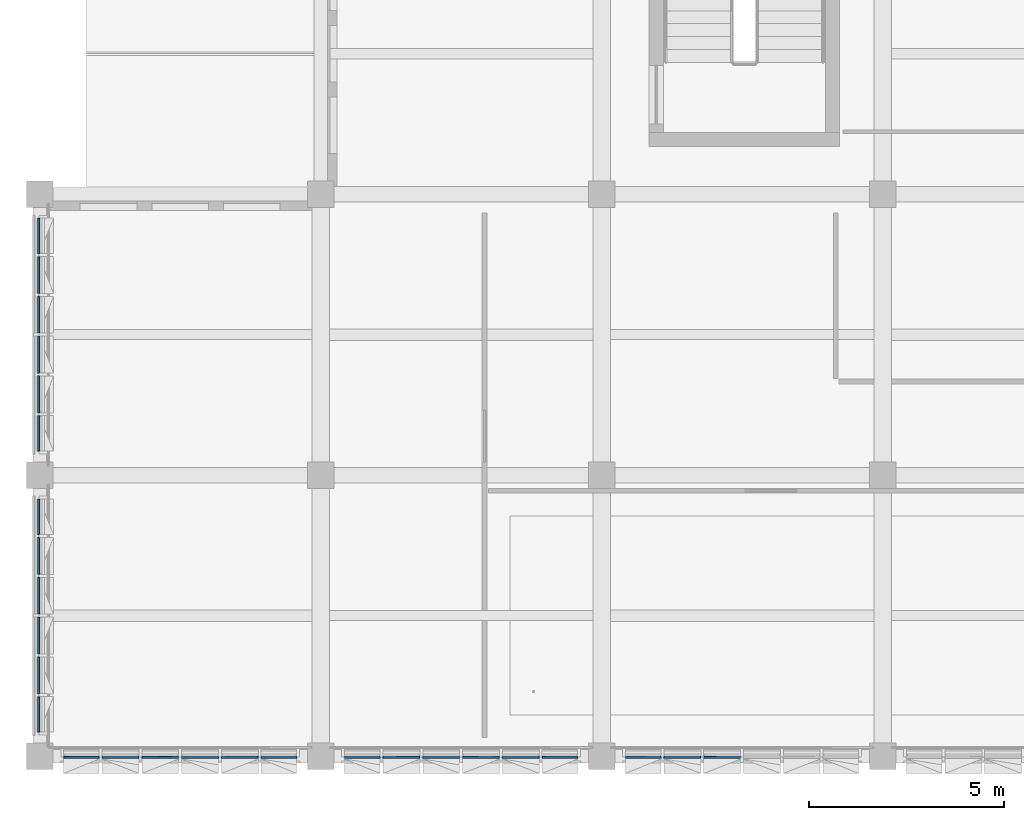
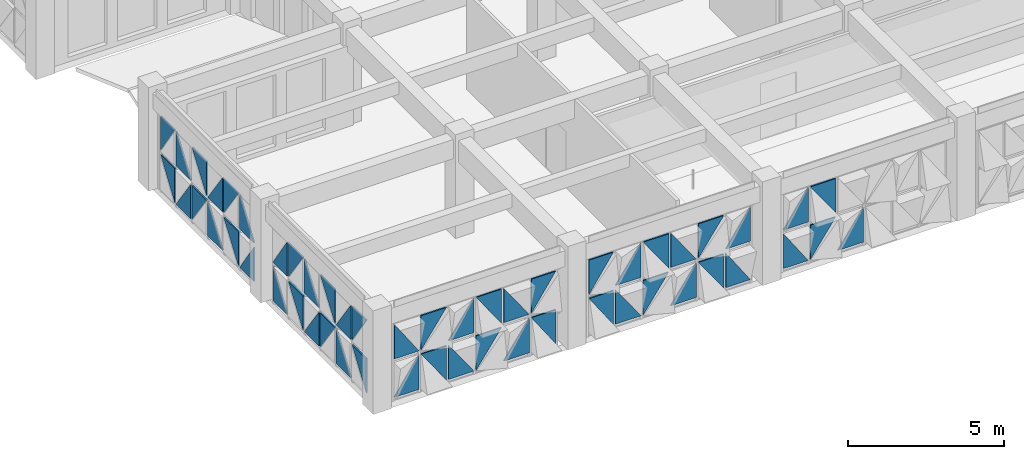
# One storey, part 28 of 88: 53 plates, 5 elements without a shape of their own.
"""IFC4 building model written with IfcOpenShell, lengths in metres."""

from ifc_helpers import new_model, si_unit, direction, frame, origin, place, context, subcontext, project, spatial, polyline, outline, extrude, material, layer, layer_set, type_object, element, aggregate, save


model = new_model("IFC4")

# Units and contexts
model_context = context("Model", 3, precision=1e-05, world=origin(), true_north=direction((0.0, 1.0)))
body_context = subcontext(model_context, "Body", "Model", "MODEL_VIEW")
ifc_project = project(units=[si_unit("LENGTHUNIT", "METRE"), si_unit("AREAUNIT", "SQUARE_METRE"), si_unit("VOLUMEUNIT", "CUBIC_METRE"), si_unit("PLANEANGLEUNIT", "RADIAN"), si_unit("MASSUNIT", "GRAM", prefix="KILO")], contexts=[model_context])

# Site, building, storey
site_placement = place(None, origin())
site = spatial("IfcSite", under=ifc_project, at=site_placement, CompositionType="ELEMENT")
building_placement = place(site_placement, origin())
building = spatial("IfcBuilding", under=site, at=building_placement, Name="Alvorim Cloister Faculty of Sciences", CompositionType="ELEMENT")
storey_placement = place(building_placement, frame((0.0, 0.0, 4.5)))
storey = spatial("IfcBuildingStorey", under=building, at=storey_placement, Name="L01", CompositionType="ELEMENT", Elevation=4.5)

# Curtain wall, plates
ifc_material_1 = material(Name="Aluminium and Low-E Glass Curtain Wall", Category="aluminium")
curtain_wall_type = type_object("IfcCurtainWallType", Name="CW-TRI-6120x3170", PredefinedType="USERDEFINED", material=ifc_material_1)
curtain_wall_1_placement = place(storey_placement, origin())
curtain_wall_1 = element("IfcCurtainWall", 1, at=curtain_wall_1_placement, inside=storey, type_object=curtain_wall_type, Name="L01 Diagonal Cassette Curtain Wall CW-0046", ObjectType="UNITISED CURTAIN WALL", PredefinedType="USERDEFINED")
ifc_material_2 = material(Name="Double Low-E Laminated Glass", Category="glass")
ifc_layer = layer(ifc_material_2, 0.0400390625)
ifc_layer_set = layer_set([ifc_layer], Name="Double Low-E Laminated Glass")
plate_type = type_object("IfcPlateType", Name="PN-GLZ-40", PredefinedType="CURTAIN_PANEL", material=ifc_layer_set)
plate_1_placement = place(storey_placement, frame((15.014892578125, -0.02490234375, 0.159912109375), z_axis=(0.0, 0.0, 1.0), x_axis=(1.0, 0.0, 0.0)))
plate_1 = element("IfcPlate", 2, at=plate_1_placement, type_object=plate_type, Name="Diagonal Glazed Triangle TRI-BL", PredefinedType="CURTAIN_PANEL", context=body_context, shape_type="SweptSolid", body=[
    extrude(outline(polyline([(0.0, 0.0), (0.905517578125, 0.0), (0.0, 1.343017578125), (0.0, 0.0)])), frame((0.0, 0.02490234375, 0.0), z_axis=(0.0, -1.0, 0.0), x_axis=(1.0, 0.0, 0.0)), (0.0, 0.0, 1.0), 0.050048828125),
])
plate_2_placement = place(storey_placement, frame((15.014892578125, -0.02490234375, 1.6650390625), z_axis=(0.0, 0.0, 1.0), x_axis=(1.0, 0.0, 0.0)))
plate_2 = element("IfcPlate", 3, at=plate_2_placement, type_object=plate_type, Name="Diagonal Glazed Triangle TRI-BR", PredefinedType="CURTAIN_PANEL", context=body_context, shape_type="SweptSolid", body=[
    extrude(outline(polyline([(0.001953125, 0.0), (0.907470703125, 0.0), (0.907470703125, 1.343017578125), (0.001953125, 0.0)])), frame((0.0, 0.02490234375, 0.0), z_axis=(0.0, -1.0, 0.0), x_axis=(1.0, 0.0, 0.0)), (0.0, 0.0, 1.0), 0.050048828125),
])
plate_3_placement = place(storey_placement, frame((15.99755859375, -0.02490234375, 0.159912109375), z_axis=(0.0, 0.0, 1.0), x_axis=(1.0, 0.0, 0.0)))
plate_3 = element("IfcPlate", 4, at=plate_3_placement, type_object=plate_type, Name="Diagonal Glazed Triangle TRI-TL", PredefinedType="CURTAIN_PANEL", context=body_context, shape_type="SweptSolid", body=[
    extrude(outline(polyline([(0.943115234375, 1.344970703125), (0.0, 1.344970703125), (0.0, 0.001953125), (0.943115234375, 1.344970703125)])), frame((0.0, 0.02490234375, 0.0), z_axis=(0.0, -1.0, 0.0), x_axis=(1.0, 0.0, 0.0)), (0.0, 0.0, 1.0), 0.050048828125),
])
plate_4_placement = place(storey_placement, frame((15.99755859375, -0.02490234375, 1.6650390625), z_axis=(0.0, 0.0, 1.0), x_axis=(1.0, 0.0, 0.0)))
plate_4 = element("IfcPlate", 5, at=plate_4_placement, type_object=plate_type, Name="Diagonal Glazed Triangle TRI-TR", PredefinedType="CURTAIN_PANEL", context=body_context, shape_type="SweptSolid", body=[
    extrude(outline(polyline([(0.945068359375, 0.001953125), (0.945068359375, 1.344970703125), (0.001953125, 1.344970703125), (0.945068359375, 0.001953125)])), frame((0.0, 0.02490234375, 0.0), z_axis=(0.0, -1.0, 0.0), x_axis=(1.0, 0.0, 0.0)), (0.0, 0.0, 1.0), 0.050048828125),
])
plate_5_placement = place(storey_placement, frame((17.017578125, -0.02490234375, 0.159912109375), z_axis=(0.0, 0.0, 1.0), x_axis=(1.0, 0.0, 0.0)))
plate_5 = element("IfcPlate", 6, at=plate_5_placement, type_object=plate_type, Name="Diagonal Glazed Triangle TRI-BR", PredefinedType="CURTAIN_PANEL", context=body_context, shape_type="SweptSolid", body=[
    extrude(outline(polyline([(0.001953125, 0.0), (0.945068359375, 0.0), (0.945068359375, 1.343017578125), (0.001953125, 0.0)])), frame((0.0, 0.02490234375, 0.0), z_axis=(0.0, -1.0, 0.0), x_axis=(1.0, 0.0, 0.0)), (0.0, 0.0, 1.0), 0.050048828125),
])
aggregate(curtain_wall_1, [plate_1, plate_2, plate_3, plate_4, plate_5])

curtain_wall_2_placement = place(storey_placement, origin())
curtain_wall_2 = element("IfcCurtainWall", 7, at=curtain_wall_2_placement, inside=storey, type_object=curtain_wall_type, Name="L01 Diagonal Cassette Curtain Wall CW-0047", ObjectType="UNITISED CURTAIN WALL", PredefinedType="USERDEFINED")
plate_6_placement = place(storey_placement, frame((7.81494140625, -0.02490234375, 0.159912109375), z_axis=(0.0, 0.0, 1.0), x_axis=(1.0, 0.0, 0.0)))
plate_6 = element("IfcPlate", 8, at=plate_6_placement, type_object=plate_type, Name="Diagonal Glazed Triangle TRI-TR", PredefinedType="CURTAIN_PANEL", context=body_context, shape_type="SweptSolid", body=[
    extrude(outline(polyline([(0.907470703125, 0.001953125), (0.907470703125, 1.344970703125), (0.001953125, 1.344970703125), (0.907470703125, 0.001953125)])), frame((0.0, 0.02490234375, 0.0), z_axis=(0.0, -1.0, 0.0), x_axis=(1.0, 0.0, 0.0)), (0.0, 0.0, 1.0), 0.050048828125),
])
plate_7_placement = place(storey_placement, frame((7.81494140625, -0.02490234375, 1.6650390625), z_axis=(0.0, 0.0, 1.0), x_axis=(1.0, 0.0, 0.0)))
plate_7 = element("IfcPlate", 9, at=plate_7_placement, type_object=plate_type, Name="Diagonal Glazed Triangle TRI-TL", PredefinedType="CURTAIN_PANEL", context=body_context, shape_type="SweptSolid", body=[
    extrude(outline(polyline([(0.905517578125, 1.344970703125), (0.0, 1.344970703125), (0.0, 0.001953125), (0.905517578125, 1.344970703125)])), frame((0.0, 0.02490234375, 0.0), z_axis=(0.0, -1.0, 0.0), x_axis=(1.0, 0.0, 0.0)), (0.0, 0.0, 1.0), 0.050048828125),
])
plate_8_placement = place(storey_placement, frame((8.797607421875, -0.02490234375, 0.159912109375), z_axis=(0.0, 0.0, 1.0), x_axis=(1.0, 0.0, 0.0)))
plate_8 = element("IfcPlate", 10, at=plate_8_placement, type_object=plate_type, Name="Diagonal Glazed Triangle TRI-BL", PredefinedType="CURTAIN_PANEL", context=body_context, shape_type="SweptSolid", body=[
    extrude(outline(polyline([(0.0, 0.0), (0.943115234375, 0.0), (0.0, 1.343017578125), (0.0, 0.0)])), frame((0.0, 0.02490234375, 0.0), z_axis=(0.0, -1.0, 0.0), x_axis=(1.0, 0.0, 0.0)), (0.0, 0.0, 1.0), 0.050048828125),
])
plate_9_placement = place(storey_placement, frame((8.797607421875, -0.02490234375, 1.6650390625), z_axis=(0.0, 0.0, 1.0), x_axis=(1.0, 0.0, 0.0)))
plate_9 = element("IfcPlate", 11, at=plate_9_placement, type_object=plate_type, Name="Diagonal Glazed Triangle TRI-BR", PredefinedType="CURTAIN_PANEL", context=body_context, shape_type="SweptSolid", body=[
    extrude(outline(polyline([(0.001953125, 0.0), (0.945068359375, 0.0), (0.945068359375, 1.343017578125), (0.001953125, 0.0)])), frame((0.0, 0.02490234375, 0.0), z_axis=(0.0, -1.0, 0.0), x_axis=(1.0, 0.0, 0.0)), (0.0, 0.0, 1.0), 0.050048828125),
])
plate_10_placement = place(storey_placement, frame((9.8173828125, -0.02490234375, 0.159912109375), z_axis=(0.0, 0.0, 1.0), x_axis=(1.0, 0.0, 0.0)))
plate_10 = element("IfcPlate", 12, at=plate_10_placement, type_object=plate_type, Name="Diagonal Glazed Triangle TRI-TL", PredefinedType="CURTAIN_PANEL", context=body_context, shape_type="SweptSolid", body=[
    extrude(outline(polyline([(0.943115234375, 1.344970703125), (0.0, 1.344970703125), (0.0, 0.001953125), (0.943115234375, 1.344970703125)])), frame((0.0, 0.02490234375, 0.0), z_axis=(0.0, -1.0, 0.0), x_axis=(1.0, 0.0, 0.0)), (0.0, 0.0, 1.0), 0.050048828125),
])
plate_11_placement = place(storey_placement, frame((9.8173828125, -0.02490234375, 1.6650390625), z_axis=(0.0, 0.0, 1.0), x_axis=(1.0, 0.0, 0.0)))
plate_11 = element("IfcPlate", 13, at=plate_11_placement, type_object=plate_type, Name="Diagonal Glazed Triangle TRI-TR", PredefinedType="CURTAIN_PANEL", context=body_context, shape_type="SweptSolid", body=[
    extrude(outline(polyline([(0.945068359375, 0.001953125), (0.945068359375, 1.344970703125), (0.001953125, 1.344970703125), (0.945068359375, 0.001953125)])), frame((0.0, 0.02490234375, 0.0), z_axis=(0.0, -1.0, 0.0), x_axis=(1.0, 0.0, 0.0)), (0.0, 0.0, 1.0), 0.050048828125),
])
plate_12_placement = place(storey_placement, frame((10.83740234375, -0.02490234375, 0.159912109375), z_axis=(0.0, 0.0, 1.0), x_axis=(1.0, 0.0, 0.0)))
plate_12 = element("IfcPlate", 14, at=plate_12_placement, type_object=plate_type, Name="Diagonal Glazed Triangle TRI-BR", PredefinedType="CURTAIN_PANEL", context=body_context, shape_type="SweptSolid", body=[
    extrude(outline(polyline([(0.001953125, 0.0), (0.945068359375, 0.0), (0.945068359375, 1.343017578125), (0.001953125, 0.0)])), frame((0.0, 0.02490234375, 0.0), z_axis=(0.0, -1.0, 0.0), x_axis=(1.0, 0.0, 0.0)), (0.0, 0.0, 1.0), 0.050048828125),
])
plate_13_placement = place(storey_placement, frame((10.83740234375, -0.02490234375, 1.6650390625), z_axis=(0.0, 0.0, 1.0), x_axis=(1.0, 0.0, 0.0)))
plate_13 = element("IfcPlate", 15, at=plate_13_placement, type_object=plate_type, Name="Diagonal Glazed Triangle TRI-BL", PredefinedType="CURTAIN_PANEL", context=body_context, shape_type="SweptSolid", body=[
    extrude(outline(polyline([(0.0, 0.0), (0.943115234375, 0.0), (0.0, 1.343017578125), (0.0, 0.0)])), frame((0.0, 0.02490234375, 0.0), z_axis=(0.0, -1.0, 0.0), x_axis=(1.0, 0.0, 0.0)), (0.0, 0.0, 1.0), 0.050048828125),
])
plate_14_placement = place(storey_placement, frame((11.857421875, -0.02490234375, 0.159912109375), z_axis=(0.0, 0.0, 1.0), x_axis=(1.0, 0.0, 0.0)))
plate_14 = element("IfcPlate", 16, at=plate_14_placement, type_object=plate_type, Name="Diagonal Glazed Triangle TRI-TR", PredefinedType="CURTAIN_PANEL", context=body_context, shape_type="SweptSolid", body=[
    extrude(outline(polyline([(0.945068359375, 0.001953125), (0.945068359375, 1.344970703125), (0.001953125, 1.344970703125), (0.945068359375, 0.001953125)])), frame((0.0, 0.02490234375, 0.0), z_axis=(0.0, -1.0, 0.0), x_axis=(1.0, 0.0, 0.0)), (0.0, 0.0, 1.0), 0.050048828125),
])
plate_15_placement = place(storey_placement, frame((11.857421875, -0.02490234375, 1.6650390625), z_axis=(0.0, 0.0, 1.0), x_axis=(1.0, 0.0, 0.0)))
plate_15 = element("IfcPlate", 17, at=plate_15_placement, type_object=plate_type, Name="Diagonal Glazed Triangle TRI-TL", PredefinedType="CURTAIN_PANEL", context=body_context, shape_type="SweptSolid", body=[
    extrude(outline(polyline([(0.943115234375, 1.344970703125), (0.0, 1.344970703125), (0.0, 0.001953125), (0.943115234375, 1.344970703125)])), frame((0.0, 0.02490234375, 0.0), z_axis=(0.0, -1.0, 0.0), x_axis=(1.0, 0.0, 0.0)), (0.0, 0.0, 1.0), 0.050048828125),
])
plate_16_placement = place(storey_placement, frame((12.87744140625, -0.02490234375, 0.159912109375), z_axis=(0.0, 0.0, 1.0), x_axis=(1.0, 0.0, 0.0)))
plate_16 = element("IfcPlate", 18, at=plate_16_placement, type_object=plate_type, Name="Diagonal Glazed Triangle TRI-BL", PredefinedType="CURTAIN_PANEL", context=body_context, shape_type="SweptSolid", body=[
    extrude(outline(polyline([(0.0, 0.0), (0.905517578125, 0.0), (0.0, 1.343017578125), (0.0, 0.0)])), frame((0.0, 0.02490234375, 0.0), z_axis=(0.0, -1.0, 0.0), x_axis=(1.0, 0.0, 0.0)), (0.0, 0.0, 1.0), 0.050048828125),
])
plate_17_placement = place(storey_placement, frame((12.87744140625, -0.02490234375, 1.6650390625), z_axis=(0.0, 0.0, 1.0), x_axis=(1.0, 0.0, 0.0)))
plate_17 = element("IfcPlate", 19, at=plate_17_placement, type_object=plate_type, Name="Diagonal Glazed Triangle TRI-BR", PredefinedType="CURTAIN_PANEL", context=body_context, shape_type="SweptSolid", body=[
    extrude(outline(polyline([(0.001953125, 0.0), (0.907470703125, 0.0), (0.907470703125, 1.343017578125), (0.001953125, 0.0)])), frame((0.0, 0.02490234375, 0.0), z_axis=(0.0, -1.0, 0.0), x_axis=(1.0, 0.0, 0.0)), (0.0, 0.0, 1.0), 0.050048828125),
])
aggregate(curtain_wall_2, [plate_6, plate_7, plate_8, plate_9, plate_10, plate_11, plate_12, plate_13, plate_14, plate_15, plate_16, plate_17])

curtain_wall_3_placement = place(storey_placement, origin())
curtain_wall_3 = element("IfcCurtainWall", 20, at=curtain_wall_3_placement, inside=storey, type_object=curtain_wall_type, Name="L01 Diagonal Cassette Curtain Wall CW-0048", ObjectType="UNITISED CURTAIN WALL", PredefinedType="USERDEFINED")
plate_18_placement = place(storey_placement, frame((0.614990234375, -0.02490234375, 0.159912109375), z_axis=(0.0, 0.0, 1.0), x_axis=(1.0, 0.0, 0.0)))
plate_18 = element("IfcPlate", 21, at=plate_18_placement, type_object=plate_type, Name="Diagonal Glazed Triangle TRI-BR", PredefinedType="CURTAIN_PANEL", context=body_context, shape_type="SweptSolid", body=[
    extrude(outline(polyline([(0.001953125, 0.0), (0.907470703125, 0.0), (0.907470703125, 1.343017578125), (0.001953125, 0.0)])), frame((0.0, 0.02490234375, 0.0), z_axis=(0.0, -1.0, 0.0), x_axis=(1.0, 0.0, 0.0)), (0.0, 0.0, 1.0), 0.050048828125),
])
plate_19_placement = place(storey_placement, frame((0.614990234375, -0.02490234375, 1.6650390625), z_axis=(0.0, 0.0, 1.0), x_axis=(1.0, 0.0, 0.0)))
plate_19 = element("IfcPlate", 22, at=plate_19_placement, type_object=plate_type, Name="Diagonal Glazed Triangle TRI-BL", PredefinedType="CURTAIN_PANEL", context=body_context, shape_type="SweptSolid", body=[
    extrude(outline(polyline([(0.0, 0.0), (0.905517578125, 0.0), (0.0, 1.343017578125), (0.0, 0.0)])), frame((0.0, 0.02490234375, 0.0), z_axis=(0.0, -1.0, 0.0), x_axis=(1.0, 0.0, 0.0)), (0.0, 0.0, 1.0), 0.050048828125),
])
plate_20_placement = place(storey_placement, frame((1.597412109375, -0.02490234375, 0.159912109375), z_axis=(0.0, 0.0, 1.0), x_axis=(1.0, 0.0, 0.0)))
plate_20 = element("IfcPlate", 23, at=plate_20_placement, type_object=plate_type, Name="Diagonal Glazed Triangle TRI-TR", PredefinedType="CURTAIN_PANEL", context=body_context, shape_type="SweptSolid", body=[
    extrude(outline(polyline([(0.945068359375, 0.001953125), (0.945068359375, 1.344970703125), (0.001953125, 1.344970703125), (0.945068359375, 0.001953125)])), frame((0.0, 0.02490234375, 0.0), z_axis=(0.0, -1.0, 0.0), x_axis=(1.0, 0.0, 0.0)), (0.0, 0.0, 1.0), 0.050048828125),
])
plate_21_placement = place(storey_placement, frame((1.597412109375, -0.02490234375, 1.6650390625), z_axis=(0.0, 0.0, 1.0), x_axis=(1.0, 0.0, 0.0)))
plate_21 = element("IfcPlate", 24, at=plate_21_placement, type_object=plate_type, Name="Diagonal Glazed Triangle TRI-TL", PredefinedType="CURTAIN_PANEL", context=body_context, shape_type="SweptSolid", body=[
    extrude(outline(polyline([(0.943115234375, 1.344970703125), (0.0, 1.344970703125), (0.0, 0.001953125), (0.943115234375, 1.344970703125)])), frame((0.0, 0.02490234375, 0.0), z_axis=(0.0, -1.0, 0.0), x_axis=(1.0, 0.0, 0.0)), (0.0, 0.0, 1.0), 0.050048828125),
])
plate_22_placement = place(storey_placement, frame((2.617431640625, -0.02490234375, 0.159912109375), z_axis=(0.0, 0.0, 1.0), x_axis=(1.0, 0.0, 0.0)))
plate_22 = element("IfcPlate", 25, at=plate_22_placement, type_object=plate_type, Name="Diagonal Glazed Triangle TRI-BL", PredefinedType="CURTAIN_PANEL", context=body_context, shape_type="SweptSolid", body=[
    extrude(outline(polyline([(0.0, 0.0), (0.943115234375, 0.0), (0.0, 1.343017578125), (0.0, 0.0)])), frame((0.0, 0.02490234375, 0.0), z_axis=(0.0, -1.0, 0.0), x_axis=(1.0, 0.0, 0.0)), (0.0, 0.0, 1.0), 0.050048828125),
])
plate_23_placement = place(storey_placement, frame((2.617431640625, -0.02490234375, 1.6650390625), z_axis=(0.0, 0.0, 1.0), x_axis=(1.0, 0.0, 0.0)))
plate_23 = element("IfcPlate", 26, at=plate_23_placement, type_object=plate_type, Name="Diagonal Glazed Triangle TRI-BR", PredefinedType="CURTAIN_PANEL", context=body_context, shape_type="SweptSolid", body=[
    extrude(outline(polyline([(0.001953125, 0.0), (0.945068359375, 0.0), (0.945068359375, 1.343017578125), (0.001953125, 0.0)])), frame((0.0, 0.02490234375, 0.0), z_axis=(0.0, -1.0, 0.0), x_axis=(1.0, 0.0, 0.0)), (0.0, 0.0, 1.0), 0.050048828125),
])
plate_24_placement = place(storey_placement, frame((3.637451171875, -0.02490234375, 0.159912109375), z_axis=(0.0, 0.0, 1.0), x_axis=(1.0, 0.0, 0.0)))
plate_24 = element("IfcPlate", 27, at=plate_24_placement, type_object=plate_type, Name="Diagonal Glazed Triangle TRI-TL", PredefinedType="CURTAIN_PANEL", context=body_context, shape_type="SweptSolid", body=[
    extrude(outline(polyline([(0.943115234375, 1.344970703125), (0.0, 1.344970703125), (0.0, 0.001953125), (0.943115234375, 1.344970703125)])), frame((0.0, 0.02490234375, 0.0), z_axis=(0.0, -1.0, 0.0), x_axis=(1.0, 0.0, 0.0)), (0.0, 0.0, 1.0), 0.050048828125),
])
plate_25_placement = place(storey_placement, frame((3.637451171875, -0.02490234375, 1.6650390625), z_axis=(0.0, 0.0, 1.0), x_axis=(1.0, 0.0, 0.0)))
plate_25 = element("IfcPlate", 28, at=plate_25_placement, type_object=plate_type, Name="Diagonal Glazed Triangle TRI-TR", PredefinedType="CURTAIN_PANEL", context=body_context, shape_type="SweptSolid", body=[
    extrude(outline(polyline([(0.945068359375, 0.001953125), (0.945068359375, 1.344970703125), (0.001953125, 1.344970703125), (0.945068359375, 0.001953125)])), frame((0.0, 0.02490234375, 0.0), z_axis=(0.0, -1.0, 0.0), x_axis=(1.0, 0.0, 0.0)), (0.0, 0.0, 1.0), 0.050048828125),
])
plate_26_placement = place(storey_placement, frame((4.657470703125, -0.02490234375, 0.159912109375), z_axis=(0.0, 0.0, 1.0), x_axis=(1.0, 0.0, 0.0)))
plate_26 = element("IfcPlate", 29, at=plate_26_placement, type_object=plate_type, Name="Diagonal Glazed Triangle TRI-BR", PredefinedType="CURTAIN_PANEL", context=body_context, shape_type="SweptSolid", body=[
    extrude(outline(polyline([(0.001953125, 0.0), (0.945068359375, 0.0), (0.945068359375, 1.343017578125), (0.001953125, 0.0)])), frame((0.0, 0.02490234375, 0.0), z_axis=(0.0, -1.0, 0.0), x_axis=(1.0, 0.0, 0.0)), (0.0, 0.0, 1.0), 0.050048828125),
])
plate_27_placement = place(storey_placement, frame((4.657470703125, -0.02490234375, 1.6650390625), z_axis=(0.0, 0.0, 1.0), x_axis=(1.0, 0.0, 0.0)))
plate_27 = element("IfcPlate", 30, at=plate_27_placement, type_object=plate_type, Name="Diagonal Glazed Triangle TRI-BL", PredefinedType="CURTAIN_PANEL", context=body_context, shape_type="SweptSolid", body=[
    extrude(outline(polyline([(0.0, 0.0), (0.943115234375, 0.0), (0.0, 1.343017578125), (0.0, 0.0)])), frame((0.0, 0.02490234375, 0.0), z_axis=(0.0, -1.0, 0.0), x_axis=(1.0, 0.0, 0.0)), (0.0, 0.0, 1.0), 0.050048828125),
])
plate_28_placement = place(storey_placement, frame((5.677490234375, -0.02490234375, 0.159912109375), z_axis=(0.0, 0.0, 1.0), x_axis=(1.0, 0.0, 0.0)))
plate_28 = element("IfcPlate", 31, at=plate_28_placement, type_object=plate_type, Name="Diagonal Glazed Triangle TRI-TR", PredefinedType="CURTAIN_PANEL", context=body_context, shape_type="SweptSolid", body=[
    extrude(outline(polyline([(0.907470703125, 0.001953125), (0.907470703125, 1.344970703125), (0.001953125, 1.344970703125), (0.907470703125, 0.001953125)])), frame((0.0, 0.02490234375, 0.0), z_axis=(0.0, -1.0, 0.0), x_axis=(1.0, 0.0, 0.0)), (0.0, 0.0, 1.0), 0.050048828125),
])
plate_29_placement = place(storey_placement, frame((5.677490234375, -0.02490234375, 1.6650390625), z_axis=(0.0, 0.0, 1.0), x_axis=(1.0, 0.0, 0.0)))
plate_29 = element("IfcPlate", 32, at=plate_29_placement, type_object=plate_type, Name="Diagonal Glazed Triangle TRI-TL", PredefinedType="CURTAIN_PANEL", context=body_context, shape_type="SweptSolid", body=[
    extrude(outline(polyline([(0.905517578125, 1.344970703125), (0.0, 1.344970703125), (0.0, 0.001953125), (0.905517578125, 1.344970703125)])), frame((0.0, 0.02490234375, 0.0), z_axis=(0.0, -1.0, 0.0), x_axis=(1.0, 0.0, 0.0)), (0.0, 0.0, 1.0), 0.050048828125),
])
aggregate(curtain_wall_3, [plate_18, plate_19, plate_20, plate_21, plate_22, plate_23, plate_24, plate_25, plate_26, plate_27, plate_28, plate_29])

curtain_wall_4_placement = place(storey_placement, origin())
curtain_wall_4 = element("IfcCurtainWall", 33, at=curtain_wall_4_placement, inside=storey, type_object=curtain_wall_type, Name="L01 Diagonal Cassette Curtain Wall CW-0049", ObjectType="UNITISED CURTAIN WALL", PredefinedType="USERDEFINED")
plate_30_placement = place(storey_placement, frame((-0.02490234375, 0.614990234375, 0.159912109375), z_axis=(0.0, 0.0, 1.0), x_axis=(0.0, 1.0, 0.0)))
plate_30 = element("IfcPlate", 34, at=plate_30_placement, type_object=plate_type, Name="Diagonal Glazed Triangle TRI-TL", PredefinedType="CURTAIN_PANEL", context=body_context, shape_type="SweptSolid", body=[
    extrude(outline(polyline([(0.905517578125, 1.344970703125), (0.0, 1.344970703125), (0.0, 0.001953125), (0.905517578125, 1.344970703125)])), frame((0.0, 0.02490234375, 0.0), z_axis=(0.0, -1.0, 0.0), x_axis=(1.0, 0.0, 0.0)), (0.0, 0.0, 1.0), 0.050048828125),
])
plate_31_placement = place(storey_placement, frame((-0.02490234375, 0.614990234375, 1.6650390625), z_axis=(0.0, 0.0, 1.0), x_axis=(0.0, 1.0, 0.0)))
plate_31 = element("IfcPlate", 35, at=plate_31_placement, type_object=plate_type, Name="Diagonal Glazed Triangle TRI-TR", PredefinedType="CURTAIN_PANEL", context=body_context, shape_type="SweptSolid", body=[
    extrude(outline(polyline([(0.907470703125, 0.001953125), (0.907470703125, 1.344970703125), (0.001953125, 1.344970703125), (0.907470703125, 0.001953125)])), frame((0.0, 0.02490234375, 0.0), z_axis=(0.0, -1.0, 0.0), x_axis=(1.0, 0.0, 0.0)), (0.0, 0.0, 1.0), 0.050048828125),
])
plate_32_placement = place(storey_placement, frame((-0.02490234375, 1.597412109375, 0.159912109375), z_axis=(0.0, 0.0, 1.0), x_axis=(0.0, 1.0, 0.0)))
plate_32 = element("IfcPlate", 36, at=plate_32_placement, type_object=plate_type, Name="Diagonal Glazed Triangle TRI-BR", PredefinedType="CURTAIN_PANEL", context=body_context, shape_type="SweptSolid", body=[
    extrude(outline(polyline([(0.001953125, 0.0), (0.945068359375, 0.0), (0.945068359375, 1.343017578125), (0.001953125, 0.0)])), frame((0.0, 0.02490234375, 0.0), z_axis=(0.0, -1.0, 0.0), x_axis=(1.0, 0.0, 0.0)), (0.0, 0.0, 1.0), 0.050048828125),
])
plate_33_placement = place(storey_placement, frame((-0.02490234375, 1.597412109375, 1.6650390625), z_axis=(0.0, 0.0, 1.0), x_axis=(0.0, 1.0, 0.0)))
plate_33 = element("IfcPlate", 37, at=plate_33_placement, type_object=plate_type, Name="Diagonal Glazed Triangle TRI-BL", PredefinedType="CURTAIN_PANEL", context=body_context, shape_type="SweptSolid", body=[
    extrude(outline(polyline([(0.0, 0.0), (0.943115234375, 0.0), (0.0, 1.343017578125), (0.0, 0.0)])), frame((0.0, 0.02490234375, 0.0), z_axis=(0.0, -1.0, 0.0), x_axis=(1.0, 0.0, 0.0)), (0.0, 0.0, 1.0), 0.050048828125),
])
plate_34_placement = place(storey_placement, frame((-0.02490234375, 2.617431640625, 0.159912109375), z_axis=(0.0, 0.0, 1.0), x_axis=(0.0, 1.0, 0.0)))
plate_34 = element("IfcPlate", 38, at=plate_34_placement, type_object=plate_type, Name="Diagonal Glazed Triangle TRI-TR", PredefinedType="CURTAIN_PANEL", context=body_context, shape_type="SweptSolid", body=[
    extrude(outline(polyline([(0.945068359375, 0.001953125), (0.945068359375, 1.344970703125), (0.001953125, 1.344970703125), (0.945068359375, 0.001953125)])), frame((0.0, 0.02490234375, 0.0), z_axis=(0.0, -1.0, 0.0), x_axis=(1.0, 0.0, 0.0)), (0.0, 0.0, 1.0), 0.050048828125),
])
plate_35_placement = place(storey_placement, frame((-0.02490234375, 2.617431640625, 1.6650390625), z_axis=(0.0, 0.0, 1.0), x_axis=(0.0, 1.0, 0.0)))
plate_35 = element("IfcPlate", 39, at=plate_35_placement, type_object=plate_type, Name="Diagonal Glazed Triangle TRI-TL", PredefinedType="CURTAIN_PANEL", context=body_context, shape_type="SweptSolid", body=[
    extrude(outline(polyline([(0.943115234375, 1.344970703125), (0.0, 1.344970703125), (0.0, 0.001953125), (0.943115234375, 1.344970703125)])), frame((0.0, 0.02490234375, 0.0), z_axis=(0.0, -1.0, 0.0), x_axis=(1.0, 0.0, 0.0)), (0.0, 0.0, 1.0), 0.050048828125),
])
plate_36_placement = place(storey_placement, frame((-0.02490234375, 3.637451171875, 0.159912109375), z_axis=(0.0, 0.0, 1.0), x_axis=(0.0, 1.0, 0.0)))
plate_36 = element("IfcPlate", 40, at=plate_36_placement, type_object=plate_type, Name="Diagonal Glazed Triangle TRI-BL", PredefinedType="CURTAIN_PANEL", context=body_context, shape_type="SweptSolid", body=[
    extrude(outline(polyline([(0.0, 0.0), (0.943115234375, 0.0), (0.0, 1.343017578125), (0.0, 0.0)])), frame((0.0, 0.02490234375, 0.0), z_axis=(0.0, -1.0, 0.0), x_axis=(1.0, 0.0, 0.0)), (0.0, 0.0, 1.0), 0.050048828125),
])
plate_37_placement = place(storey_placement, frame((-0.02490234375, 3.637451171875, 1.6650390625), z_axis=(0.0, 0.0, 1.0), x_axis=(0.0, 1.0, 0.0)))
plate_37 = element("IfcPlate", 41, at=plate_37_placement, type_object=plate_type, Name="Diagonal Glazed Triangle TRI-BR", PredefinedType="CURTAIN_PANEL", context=body_context, shape_type="SweptSolid", body=[
    extrude(outline(polyline([(0.001953125, 0.0), (0.945068359375, 0.0), (0.945068359375, 1.343017578125), (0.001953125, 0.0)])), frame((0.0, 0.02490234375, 0.0), z_axis=(0.0, -1.0, 0.0), x_axis=(1.0, 0.0, 0.0)), (0.0, 0.0, 1.0), 0.050048828125),
])
plate_38_placement = place(storey_placement, frame((-0.02490234375, 4.657470703125, 0.159912109375), z_axis=(0.0, 0.0, 1.0), x_axis=(0.0, 1.0, 0.0)))
plate_38 = element("IfcPlate", 42, at=plate_38_placement, type_object=plate_type, Name="Diagonal Glazed Triangle TRI-TL", PredefinedType="CURTAIN_PANEL", context=body_context, shape_type="SweptSolid", body=[
    extrude(outline(polyline([(0.943115234375, 1.344970703125), (0.0, 1.344970703125), (0.0, 0.001953125), (0.943115234375, 1.344970703125)])), frame((0.0, 0.02490234375, 0.0), z_axis=(0.0, -1.0, 0.0), x_axis=(1.0, 0.0, 0.0)), (0.0, 0.0, 1.0), 0.050048828125),
])
plate_39_placement = place(storey_placement, frame((-0.02490234375, 4.657470703125, 1.6650390625), z_axis=(0.0, 0.0, 1.0), x_axis=(0.0, 1.0, 0.0)))
plate_39 = element("IfcPlate", 43, at=plate_39_placement, type_object=plate_type, Name="Diagonal Glazed Triangle TRI-TR", PredefinedType="CURTAIN_PANEL", context=body_context, shape_type="SweptSolid", body=[
    extrude(outline(polyline([(0.945068359375, 0.001953125), (0.945068359375, 1.344970703125), (0.001953125, 1.344970703125), (0.945068359375, 0.001953125)])), frame((0.0, 0.02490234375, 0.0), z_axis=(0.0, -1.0, 0.0), x_axis=(1.0, 0.0, 0.0)), (0.0, 0.0, 1.0), 0.050048828125),
])
plate_40_placement = place(storey_placement, frame((-0.02490234375, 5.677490234375, 0.159912109375), z_axis=(0.0, 0.0, 1.0), x_axis=(0.0, 1.0, 0.0)))
plate_40 = element("IfcPlate", 44, at=plate_40_placement, type_object=plate_type, Name="Diagonal Glazed Triangle TRI-BR", PredefinedType="CURTAIN_PANEL", context=body_context, shape_type="SweptSolid", body=[
    extrude(outline(polyline([(0.001953125, 0.0), (0.907470703125, 0.0), (0.907470703125, 1.343017578125), (0.001953125, 0.0)])), frame((0.0, 0.02490234375, 0.0), z_axis=(0.0, -1.0, 0.0), x_axis=(1.0, 0.0, 0.0)), (0.0, 0.0, 1.0), 0.050048828125),
])
plate_41_placement = place(storey_placement, frame((-0.02490234375, 5.677490234375, 1.6650390625), z_axis=(0.0, 0.0, 1.0), x_axis=(0.0, 1.0, 0.0)))
plate_41 = element("IfcPlate", 45, at=plate_41_placement, type_object=plate_type, Name="Diagonal Glazed Triangle TRI-BL", PredefinedType="CURTAIN_PANEL", context=body_context, shape_type="SweptSolid", body=[
    extrude(outline(polyline([(0.0, 0.0), (0.905517578125, 0.0), (0.0, 1.343017578125), (0.0, 0.0)])), frame((0.0, 0.02490234375, 0.0), z_axis=(0.0, -1.0, 0.0), x_axis=(1.0, 0.0, 0.0)), (0.0, 0.0, 1.0), 0.050048828125),
])
aggregate(curtain_wall_4, [plate_30, plate_31, plate_32, plate_33, plate_34, plate_35, plate_36, plate_37, plate_38, plate_39, plate_40, plate_41])

curtain_wall_5_placement = place(storey_placement, origin())
curtain_wall_5 = element("IfcCurtainWall", 46, at=curtain_wall_5_placement, inside=storey, type_object=curtain_wall_type, Name="L01 Diagonal Cassette Curtain Wall CW-0050", ObjectType="UNITISED CURTAIN WALL", PredefinedType="USERDEFINED")
plate_42_placement = place(storey_placement, frame((-0.02490234375, 7.81494140625, 0.159912109375), z_axis=(0.0, 0.0, 1.0), x_axis=(0.0, 1.0, 0.0)))
plate_42 = element("IfcPlate", 47, at=plate_42_placement, type_object=plate_type, Name="Diagonal Glazed Triangle TRI-BL", PredefinedType="CURTAIN_PANEL", context=body_context, shape_type="SweptSolid", body=[
    extrude(outline(polyline([(0.0, 0.0), (0.905517578125, 0.0), (0.0, 1.343017578125), (0.0, 0.0)])), frame((0.0, 0.02490234375, 0.0), z_axis=(0.0, -1.0, 0.0), x_axis=(1.0, 0.0, 0.0)), (0.0, 0.0, 1.0), 0.050048828125),
])
plate_43_placement = place(storey_placement, frame((-0.02490234375, 7.81494140625, 1.6650390625), z_axis=(0.0, 0.0, 1.0), x_axis=(0.0, 1.0, 0.0)))
plate_43 = element("IfcPlate", 48, at=plate_43_placement, type_object=plate_type, Name="Diagonal Glazed Triangle TRI-BR", PredefinedType="CURTAIN_PANEL", context=body_context, shape_type="SweptSolid", body=[
    extrude(outline(polyline([(0.001953125, 0.0), (0.907470703125, 0.0), (0.907470703125, 1.343017578125), (0.001953125, 0.0)])), frame((0.0, 0.02490234375, 0.0), z_axis=(0.0, -1.0, 0.0), x_axis=(1.0, 0.0, 0.0)), (0.0, 0.0, 1.0), 0.050048828125),
])
plate_44_placement = place(storey_placement, frame((-0.02490234375, 8.797607421875, 0.159912109375), z_axis=(0.0, 0.0, 1.0), x_axis=(0.0, 1.0, 0.0)))
plate_44 = element("IfcPlate", 49, at=plate_44_placement, type_object=plate_type, Name="Diagonal Glazed Triangle TRI-TL", PredefinedType="CURTAIN_PANEL", context=body_context, shape_type="SweptSolid", body=[
    extrude(outline(polyline([(0.943115234375, 1.344970703125), (0.0, 1.344970703125), (0.0, 0.001953125), (0.943115234375, 1.344970703125)])), frame((0.0, 0.02490234375, 0.0), z_axis=(0.0, -1.0, 0.0), x_axis=(1.0, 0.0, 0.0)), (0.0, 0.0, 1.0), 0.050048828125),
])
plate_45_placement = place(storey_placement, frame((-0.02490234375, 8.797607421875, 1.6650390625), z_axis=(0.0, 0.0, 1.0), x_axis=(0.0, 1.0, 0.0)))
plate_45 = element("IfcPlate", 50, at=plate_45_placement, type_object=plate_type, Name="Diagonal Glazed Triangle TRI-TR", PredefinedType="CURTAIN_PANEL", context=body_context, shape_type="SweptSolid", body=[
    extrude(outline(polyline([(0.945068359375, 0.001953125), (0.945068359375, 1.344970703125), (0.001953125, 1.344970703125), (0.945068359375, 0.001953125)])), frame((0.0, 0.02490234375, 0.0), z_axis=(0.0, -1.0, 0.0), x_axis=(1.0, 0.0, 0.0)), (0.0, 0.0, 1.0), 0.050048828125),
])
plate_46_placement = place(storey_placement, frame((-0.02490234375, 9.8173828125, 0.159912109375), z_axis=(0.0, 0.0, 1.0), x_axis=(0.0, 1.0, 0.0)))
plate_46 = element("IfcPlate", 51, at=plate_46_placement, type_object=plate_type, Name="Diagonal Glazed Triangle TRI-BR", PredefinedType="CURTAIN_PANEL", context=body_context, shape_type="SweptSolid", body=[
    extrude(outline(polyline([(0.001953125, 0.0), (0.945068359375, 0.0), (0.945068359375, 1.343017578125), (0.001953125, 0.0)])), frame((0.0, 0.02490234375, 0.0), z_axis=(0.0, -1.0, 0.0), x_axis=(1.0, 0.0, 0.0)), (0.0, 0.0, 1.0), 0.050048828125),
])
plate_47_placement = place(storey_placement, frame((-0.02490234375, 9.8173828125, 1.6650390625), z_axis=(0.0, 0.0, 1.0), x_axis=(0.0, 1.0, 0.0)))
plate_47 = element("IfcPlate", 52, at=plate_47_placement, type_object=plate_type, Name="Diagonal Glazed Triangle TRI-BL", PredefinedType="CURTAIN_PANEL", context=body_context, shape_type="SweptSolid", body=[
    extrude(outline(polyline([(0.0, 0.0), (0.943115234375, 0.0), (0.0, 1.343017578125), (0.0, 0.0)])), frame((0.0, 0.02490234375, 0.0), z_axis=(0.0, -1.0, 0.0), x_axis=(1.0, 0.0, 0.0)), (0.0, 0.0, 1.0), 0.050048828125),
])
plate_48_placement = place(storey_placement, frame((-0.02490234375, 10.83740234375, 0.159912109375), z_axis=(0.0, 0.0, 1.0), x_axis=(0.0, 1.0, 0.0)))
plate_48 = element("IfcPlate", 53, at=plate_48_placement, type_object=plate_type, Name="Diagonal Glazed Triangle TRI-TR", PredefinedType="CURTAIN_PANEL", context=body_context, shape_type="SweptSolid", body=[
    extrude(outline(polyline([(0.945068359375, 0.001953125), (0.945068359375, 1.344970703125), (0.001953125, 1.344970703125), (0.945068359375, 0.001953125)])), frame((0.0, 0.02490234375, 0.0), z_axis=(0.0, -1.0, 0.0), x_axis=(1.0, 0.0, 0.0)), (0.0, 0.0, 1.0), 0.050048828125),
])
plate_49_placement = place(storey_placement, frame((-0.02490234375, 10.83740234375, 1.6650390625), z_axis=(0.0, 0.0, 1.0), x_axis=(0.0, 1.0, 0.0)))
plate_49 = element("IfcPlate", 54, at=plate_49_placement, type_object=plate_type, Name="Diagonal Glazed Triangle TRI-TL", PredefinedType="CURTAIN_PANEL", context=body_context, shape_type="SweptSolid", body=[
    extrude(outline(polyline([(0.943115234375, 1.344970703125), (0.0, 1.344970703125), (0.0, 0.001953125), (0.943115234375, 1.344970703125)])), frame((0.0, 0.02490234375, 0.0), z_axis=(0.0, -1.0, 0.0), x_axis=(1.0, 0.0, 0.0)), (0.0, 0.0, 1.0), 0.050048828125),
])
plate_50_placement = place(storey_placement, frame((-0.02490234375, 11.857421875, 0.159912109375), z_axis=(0.0, 0.0, 1.0), x_axis=(0.0, 1.0, 0.0)))
plate_50 = element("IfcPlate", 55, at=plate_50_placement, type_object=plate_type, Name="Diagonal Glazed Triangle TRI-BL", PredefinedType="CURTAIN_PANEL", context=body_context, shape_type="SweptSolid", body=[
    extrude(outline(polyline([(0.0, 0.0), (0.943115234375, 0.0), (0.0, 1.343017578125), (0.0, 0.0)])), frame((0.0, 0.02490234375, 0.0), z_axis=(0.0, -1.0, 0.0), x_axis=(1.0, 0.0, 0.0)), (0.0, 0.0, 1.0), 0.050048828125),
])
plate_51_placement = place(storey_placement, frame((-0.02490234375, 11.857421875, 1.6650390625), z_axis=(0.0, 0.0, 1.0), x_axis=(0.0, 1.0, 0.0)))
plate_51 = element("IfcPlate", 56, at=plate_51_placement, type_object=plate_type, Name="Diagonal Glazed Triangle TRI-BR", PredefinedType="CURTAIN_PANEL", context=body_context, shape_type="SweptSolid", body=[
    extrude(outline(polyline([(0.001953125, 0.0), (0.945068359375, 0.0), (0.945068359375, 1.343017578125), (0.001953125, 0.0)])), frame((0.0, 0.02490234375, 0.0), z_axis=(0.0, -1.0, 0.0), x_axis=(1.0, 0.0, 0.0)), (0.0, 0.0, 1.0), 0.050048828125),
])
plate_52_placement = place(storey_placement, frame((-0.02490234375, 12.87744140625, 0.159912109375), z_axis=(0.0, 0.0, 1.0), x_axis=(0.0, 1.0, 0.0)))
plate_52 = element("IfcPlate", 57, at=plate_52_placement, type_object=plate_type, Name="Diagonal Glazed Triangle TRI-TL", PredefinedType="CURTAIN_PANEL", context=body_context, shape_type="SweptSolid", body=[
    extrude(outline(polyline([(0.905517578125, 1.344970703125), (0.0, 1.344970703125), (0.0, 0.001953125), (0.905517578125, 1.344970703125)])), frame((0.0, 0.02490234375, 0.0), z_axis=(0.0, -1.0, 0.0), x_axis=(1.0, 0.0, 0.0)), (0.0, 0.0, 1.0), 0.050048828125),
])
plate_53_placement = place(storey_placement, frame((-0.02490234375, 12.87744140625, 1.6650390625), z_axis=(0.0, 0.0, 1.0), x_axis=(0.0, 1.0, 0.0)))
plate_53 = element("IfcPlate", 58, at=plate_53_placement, type_object=plate_type, Name="Diagonal Glazed Triangle TRI-TR", PredefinedType="CURTAIN_PANEL", context=body_context, shape_type="SweptSolid", body=[
    extrude(outline(polyline([(0.907470703125, 0.001953125), (0.907470703125, 1.344970703125), (0.001953125, 1.344970703125), (0.907470703125, 0.001953125)])), frame((0.0, 0.02490234375, 0.0), z_axis=(0.0, -1.0, 0.0), x_axis=(1.0, 0.0, 0.0)), (0.0, 0.0, 1.0), 0.050048828125),
])
aggregate(curtain_wall_5, [plate_42, plate_43, plate_44, plate_45, plate_46, plate_47, plate_48, plate_49, plate_50, plate_51, plate_52, plate_53])

save(model, "model.ifc")
